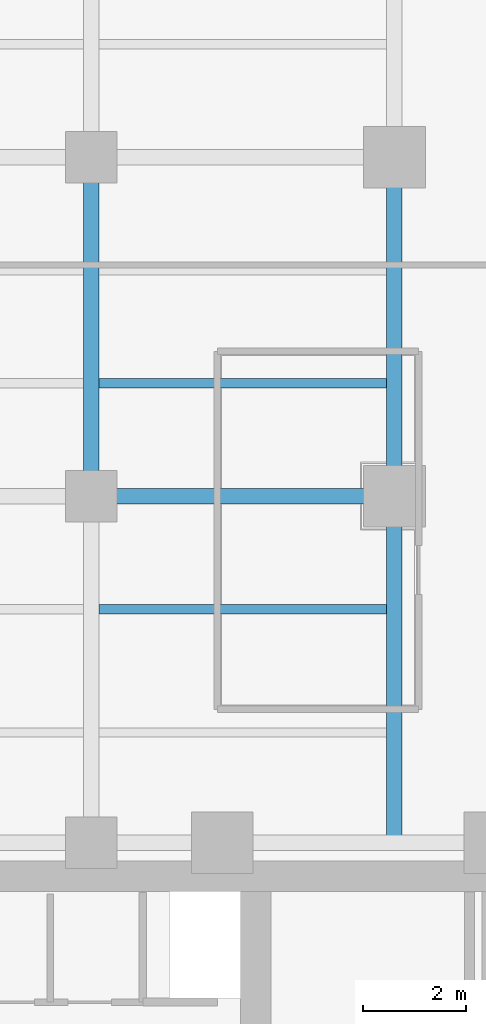
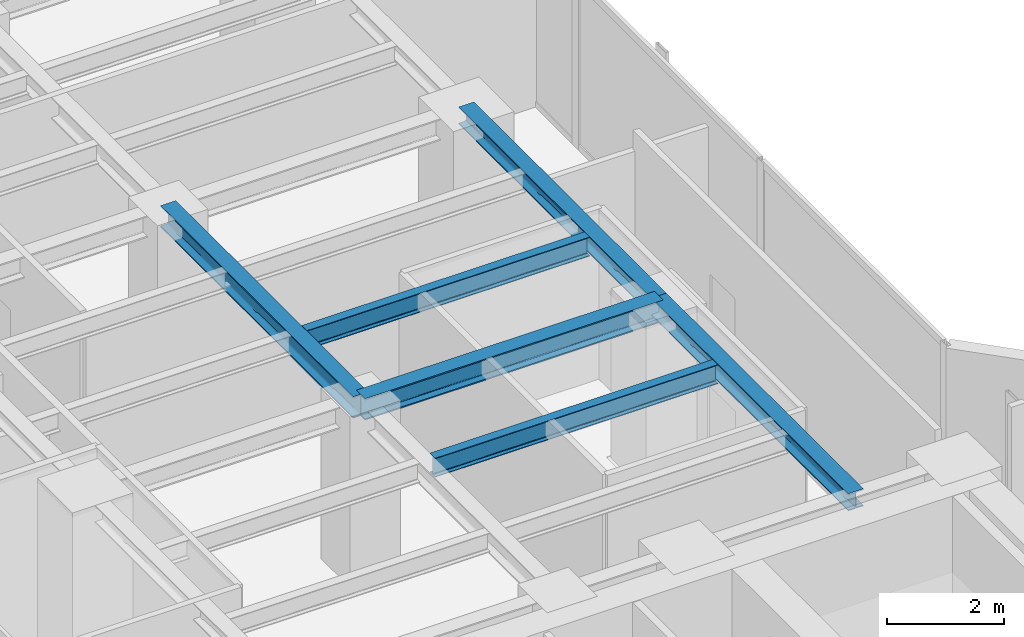
# One storey, part 8 of 24: 6 beams.
"""IFC4 building model written with IfcOpenShell, lengths in metres."""

from ifc_helpers import new_model, si_unit, direction, frame, origin, origin_2d, place, context, subcontext, project, spatial, i_section, extrude, material, material_profile, profile_set, type_object, element, save


model = new_model("IFC4")

# Units and contexts
model_context = context("Model", 3, precision=1e-05, world=origin(), true_north=direction((0.0, 1.0)))
body_context = subcontext(model_context, "Body", "Model", "MODEL_VIEW")
ifc_project = project(units=[si_unit("LENGTHUNIT", "METRE"), si_unit("AREAUNIT", "SQUARE_METRE"), si_unit("VOLUMEUNIT", "CUBIC_METRE"), si_unit("PLANEANGLEUNIT", "RADIAN"), si_unit("MASSUNIT", "GRAM", prefix="KILO")], contexts=[model_context])

# Site, building, storey
site_placement = place(None, origin())
site = spatial("IfcSite", under=ifc_project, at=site_placement, CompositionType="ELEMENT")
building_placement = place(site_placement, origin())
building = spatial("IfcBuilding", under=site, at=building_placement, Name="Kolvaren Waterfront Exchange", CompositionType="ELEMENT")
storey_placement = place(building_placement, frame((0.0, 0.0, 172.800048828125)))
storey = spatial("IfcBuildingStorey", under=building, at=storey_placement, Name="L44", CompositionType="ELEMENT", Elevation=172.800048828125)

# Beams
ifc_material = material(Name="Steel S355", Category="steel")
ifc_material_profile_1 = material_profile(ifc_material, i_section(OverallWidth=0.300048828125, OverallDepth=0.360107421875, WebThickness=0.012451171875, FlangeThickness=0.0224609375, FilletRadius=0.027099609375, at=origin_2d()), Name="HEB360")
ifc_profile_set_1 = profile_set([ifc_material_profile_1], Name="Steel S355")
beam_type_1 = type_object("IfcBeamType", Name="STR-BM-HEB360", PredefinedType="SPANDREL", material=ifc_profile_set_1)
beam_1_placement = place(storey_placement, frame((18.800048828125, 24.449951171875, 3.3798828125), z_axis=(0.0, 1.0, 0.0), x_axis=(-1.0, 0.0, 0.0)))
element("IfcBeam", 1, at=beam_1_placement, inside=storey, type_object=beam_type_1, Name="L44 north-arm edge beam 1", PredefinedType="SPANDREL", context=body_context, shape_type="SweptSolid", body=[
    extrude(i_section(OverallWidth=0.300048828125, OverallDepth=0.360107421875, WebThickness=0.012451171875, FlangeThickness=0.0224609375, FilletRadius=0.027099609375, at=origin_2d()), origin(), (0.0, 0.0, 1.0), 6.75),
])
beam_2_placement = place(storey_placement, frame((18.800048828125, 31.199951171875, 3.3798828125), z_axis=(0.0, 1.0, 0.0), x_axis=(-1.0, 0.0, 0.0)))
element("IfcBeam", 2, at=beam_2_placement, inside=storey, type_object=beam_type_1, Name="L44 north-arm edge beam 2", PredefinedType="SPANDREL", context=body_context, shape_type="SweptSolid", body=[
    extrude(i_section(OverallWidth=0.300048828125, OverallDepth=0.360107421875, WebThickness=0.012451171875, FlangeThickness=0.0224609375, FilletRadius=0.027099609375, at=origin_2d()), origin(), (0.0, 0.0, 1.0), 6.60009765625),
])
ifc_material_profile_2 = material_profile(ifc_material, i_section(OverallWidth=0.300048828125, OverallDepth=0.449951171875, WebThickness=0.013916015625, FlangeThickness=0.02587890625, FilletRadius=0.027099609375, at=origin_2d()), Name="HEB450")
ifc_profile_set_2 = profile_set([ifc_material_profile_2], Name="Steel S355")
beam_type_2 = type_object("IfcBeamType", Name="STR-BM-HEB450", PredefinedType="BEAM", material=ifc_profile_set_2)
beam_3_placement = place(storey_placement, frame((12.89990234375, 31.199951171875, 3.3349609375), z_axis=(1.0, 0.0, 0.0), x_axis=(0.0, 1.0, 0.0)))
element("IfcBeam", 3, at=beam_3_placement, inside=storey, type_object=beam_type_2, Name="L44 north-arm girder 2B", PredefinedType="BEAM", context=body_context, shape_type="SweptSolid", body=[
    extrude(i_section(OverallWidth=0.300048828125, OverallDepth=0.449951171875, WebThickness=0.013916015625, FlangeThickness=0.02587890625, FilletRadius=0.027099609375, at=origin_2d()), origin(), (0.0, 0.0, 1.0), 5.900146484375),
])
beam_4_placement = place(storey_placement, frame((12.89990234375, 31.199951171875, 3.3349609375), z_axis=(0.0, 1.0, 0.0), x_axis=(-1.0, 0.0, 0.0)))
element("IfcBeam", 4, at=beam_4_placement, inside=storey, type_object=beam_type_2, Name="L44 north-arm edge beam 2", PredefinedType="BEAM", context=body_context, shape_type="SweptSolid", body=[
    extrude(i_section(OverallWidth=0.300048828125, OverallDepth=0.449951171875, WebThickness=0.013916015625, FlangeThickness=0.02587890625, FilletRadius=0.027099609375, at=origin_2d()), origin(), (0.0, 0.0, 1.0), 6.60009765625),
])
ifc_material_profile_3 = material_profile(ifc_material, i_section(OverallWidth=0.179931640625, OverallDepth=0.39990234375, WebThickness=0.008544921875, FlangeThickness=0.013427734375, FilletRadius=0.02099609375, at=origin_2d()), Name="IPE400")
ifc_profile_set_3 = profile_set([ifc_material_profile_3], Name="Steel S355")
beam_type_3 = type_object("IfcBeamType", Name="STR-BM-IPE400", PredefinedType="JOIST", material=ifc_profile_set_3)
for number, where, z_axis, x_axis, name in (
    (5, (13.052001953125, 29.0, 3.35986328125), (1.0, 0.0, 0.0), (0.0, 1.0, 0.0), "L44 north-arm composite joist 2B"),
    (6, (13.052001953125, 33.39990234375, 3.35986328125), (1.0, 0.0, 0.0), (0.0, 1.0, 0.0), "L44 north-arm composite joist 3B"),
):
    element("IfcBeam", number, at=place(storey_placement, frame(where, z_axis=z_axis, x_axis=x_axis)), inside=storey, type_object=beam_type_3, Name=name, PredefinedType="JOIST", context=body_context, shape_type="SweptSolid", body=[
        extrude(i_section(OverallWidth=0.179931640625, OverallDepth=0.39990234375, WebThickness=0.008544921875, FlangeThickness=0.013427734375, FilletRadius=0.02099609375, at=origin_2d()), origin(), (0.0, 0.0, 1.0), 5.595947265625),
    ])

save(model, "model.ifc")
